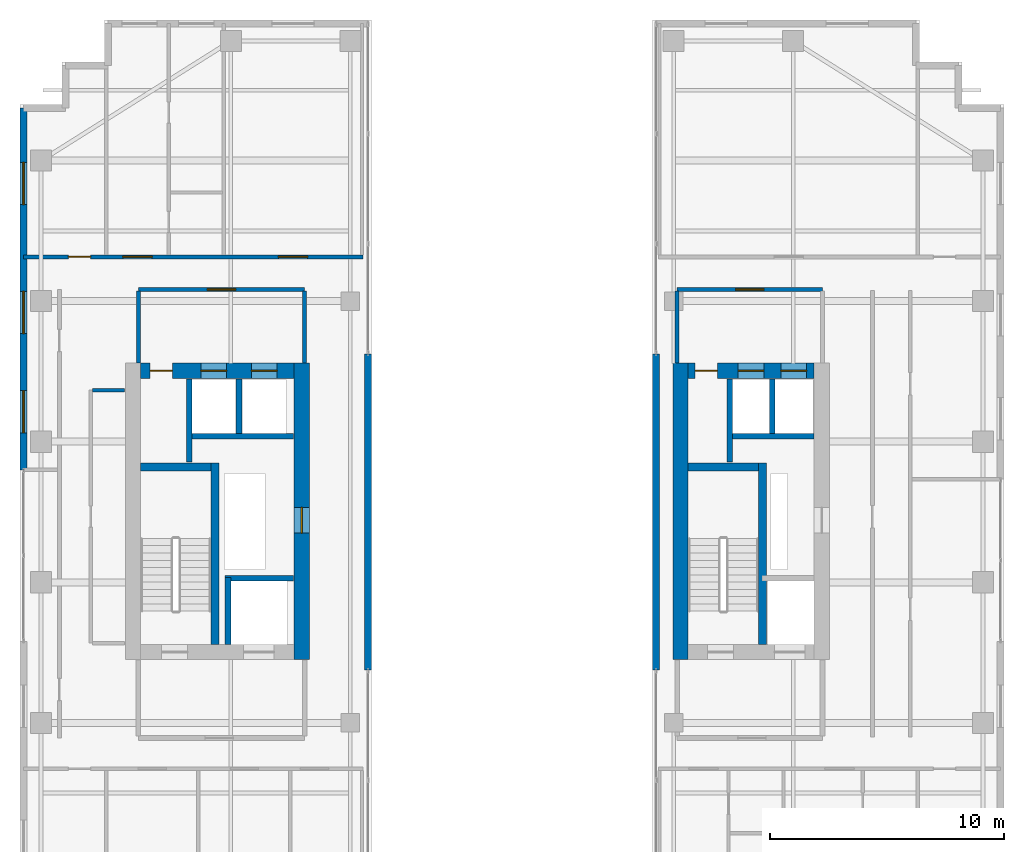
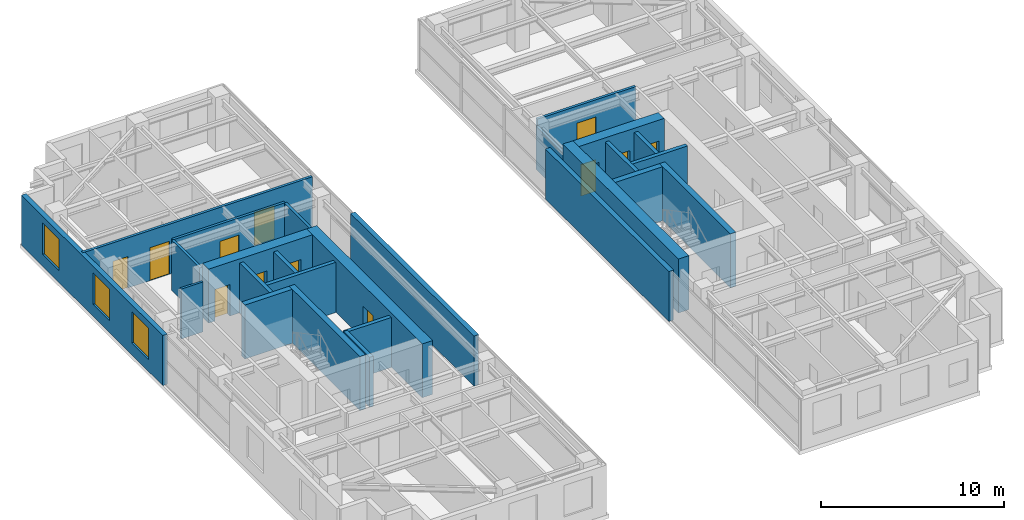
# One storey, part 17 of 20: 26 walls, 12 doors, 3 windows, 15 openings.
"""IFC4 building model written with IfcOpenShell, lengths in metres."""

from ifc_helpers import new_model, si_unit, direction, frame, frame_2d, origin, place, context, subcontext, project, spatial, rectangle, extrude, source, transform, mapped, material, layer, layer_set, type_object, element, fill, save


model = new_model("IFC4")

# Units and contexts
model_context = context("Model", 3, precision=1e-05, world=origin(), true_north=direction((0.0, 1.0)))
body_context = subcontext(model_context, "Body", "Model", "MODEL_VIEW")
ifc_project = project(units=[si_unit("LENGTHUNIT", "METRE"), si_unit("AREAUNIT", "SQUARE_METRE"), si_unit("VOLUMEUNIT", "CUBIC_METRE"), si_unit("PLANEANGLEUNIT", "RADIAN"), si_unit("MASSUNIT", "GRAM", prefix="KILO")], contexts=[model_context])

# Site, building, storey
site_placement = place(None, origin())
site = spatial("IfcSite", under=ifc_project, at=site_placement, CompositionType="ELEMENT")
building_placement = place(site_placement, origin())
building = spatial("IfcBuilding", under=site, at=building_placement, Name="Khoralis Quay Care Tower", CompositionType="ELEMENT")
storey_placement = place(building_placement, frame((0.0, 0.0, 198.89990234375)))
storey = spatial("IfcBuildingStorey", under=building, at=storey_placement, Name="L52", CompositionType="ELEMENT", Elevation=198.89990234375)

# Wall, opening, door
ifc_material_1 = material(Name="Concrete C65/80", Category="concrete")
ifc_layer_1 = layer(ifc_material_1, 0.64990234375)
ifc_layer_set_1 = layer_set([ifc_layer_1], Name="Concrete C65/80")
wall_type_1 = type_object("IfcWallType", Name="WL-CORE-650", PredefinedType="SHEAR", material=ifc_layer_set_1)
wall_1_placement = place(storey_placement, frame((15.02490234375, 14.699951171875, 0.0), z_axis=(0.0, 0.0, 1.0), x_axis=(0.0, 1.0, 0.0)))
wall_1 = element("IfcWall", 1, at=wall_1_placement, inside=storey, type_object=wall_type_1, Name="L52 WCORE East Shear Wall", PredefinedType="SHEAR", context=body_context, shape_type="SweptSolid", body=[
    extrude(rectangle(XDim=12.650146484375, YDim=0.64990234375, at=frame_2d((6.3251953125, 0.0))), origin(), (0.0, 0.0, 1.0), 3.60009765625),
])
opening_1_placement = place(wall_1_placement, frame((5.39990234375, 0.0, 0.0)))
opening_1 = element("IfcOpeningElement", 2, at=opening_1_placement, cuts=wall_1, Name="Opening SD1", PredefinedType="OPENING", context=body_context, shape_type="SweptSolid", body=[
    extrude(rectangle(XDim=1.10009765625, YDim=2.199951171875, at=frame_2d((0.550048828125, 1.10009765625))), frame((0.0, 0.3349609375, 0.0), z_axis=(0.0, -1.0, 0.0), x_axis=(1.0, 0.0, 0.0)), (0.0, 0.0, 1.0), 0.669921875),
])
ifc_material_2 = material(Name="Fire-rated painted steel", Category="steel")
door_type_1 = type_object("IfcDoorType", Name="DR-STAIR-1100X2200", OperationType="NOTDEFINED", PredefinedType="DOOR", material=ifc_material_2)
shared_shape_1 = source(origin(), body_context, "Body", "SweptSolid", [
    extrude(rectangle(XDim=1.10009765625, YDim=2.199951171875, at=frame_2d((0.550048828125, 1.10009765625))), frame((0.0, 0.02490234375, 0.0), z_axis=(0.0, -1.0, 0.0), x_axis=(1.0, 0.0, 0.0)), (0.0, 0.0, 1.0), 0.050048828125),
])
door_1_placement = place(opening_1_placement, origin())
door_1 = element("IfcDoor", 3, at=door_1_placement, inside=storey, type_object=door_type_1, Name="L52 West MEP Riser Door", OperationType="SINGLE_SWING_RIGHT", OverallHeight=2.199951171875, OverallWidth=1.10009765625, PredefinedType="DOOR", context=body_context, shape_type="MappedRepresentation", body=[
    mapped(shared_shape_1, transform((0.0, 0.0, 0.0), scale=1.0)),
])
fill(opening_1, door_1)

# Wall, openings, doors
wall_2_placement = place(storey_placement, frame((8.14990234375, 27.02490234375, 0.0), z_axis=(0.0, 0.0, 1.0), x_axis=(1.0, 0.0, 0.0)))
wall_2 = element("IfcWall", 4, at=wall_2_placement, inside=storey, type_object=wall_type_1, Name="L52 WCORE North Shear Wall", PredefinedType="SHEAR", context=body_context, shape_type="SweptSolid", body=[
    extrude(rectangle(XDim=6.550048828125, YDim=0.64990234375, at=frame_2d((3.27490234375, 0.0))), origin(), (0.0, 0.0, 1.0), 3.60009765625),
])
opening_2_placement = place(wall_2_placement, frame((0.39990234375, 0.0, 0.0)))
opening_2 = element("IfcOpeningElement", 5, at=opening_2_placement, cuts=wall_2, Name="Opening ID1", PredefinedType="OPENING", context=body_context, shape_type="SweptSolid", body=[
    extrude(rectangle(XDim=0.949951171875, YDim=2.10009765625, at=frame_2d((0.47509765625, 1.050048828125))), frame((0.0, 0.3349609375, 0.0), z_axis=(0.0, -1.0, 0.0), x_axis=(1.0, 0.0, 0.0)), (0.0, 0.0, 1.0), 0.669921875),
])
opening_3_placement = place(wall_2_placement, frame((2.570068359375, 0.0, 0.0)))
opening_3 = element("IfcOpeningElement", 6, at=opening_3_placement, cuts=wall_2, Name="Opening LD1", PredefinedType="OPENING", context=body_context, shape_type="SweptSolid", body=[
    extrude(rectangle(XDim=1.10009765625, YDim=2.199951171875, at=frame_2d((0.550048828125, 1.10009765625))), frame((0.0, 0.3349609375, 0.0), z_axis=(0.0, -1.0, 0.0), x_axis=(1.0, 0.0, 0.0)), (0.0, 0.0, 1.0), 0.669921875),
])
opening_4_placement = place(wall_2_placement, frame((4.72998046875, 0.0, 0.0)))
opening_4 = element("IfcOpeningElement", 7, at=opening_4_placement, cuts=wall_2, Name="Opening LD1", PredefinedType="OPENING", context=body_context, shape_type="SweptSolid", body=[
    extrude(rectangle(XDim=1.10009765625, YDim=2.199951171875, at=frame_2d((0.550048828125, 1.10009765625))), frame((0.0, 0.3349609375, 0.0), z_axis=(0.0, -1.0, 0.0), x_axis=(1.0, 0.0, 0.0)), (0.0, 0.0, 1.0), 0.669921875),
])
ifc_material_3 = material(Name="Brushed stainless steel", Category="steel")
door_type_2 = type_object("IfcDoorType", Name="DR-LIFT-1100X2200", OperationType="SLIDING_TO_LEFT", PredefinedType="DOOR", material=ifc_material_3)
shared_shape_2 = source(origin(), body_context, "Body", "SweptSolid", [
    extrude(rectangle(XDim=1.10009765625, YDim=2.199951171875, at=frame_2d((0.550048828125, 1.10009765625))), frame((0.0, 0.02490234375, 0.0), z_axis=(0.0, -1.0, 0.0), x_axis=(1.0, 0.0, 0.0)), (0.0, 0.0, 1.0), 0.050048828125),
])
door_2_placement = place(opening_3_placement, origin())
door_2 = element("IfcDoor", 8, at=door_2_placement, inside=storey, type_object=door_type_2, Name="L52 Lift PLM1 Landing Door", OperationType="SLIDING_TO_LEFT", OverallHeight=2.199951171875, OverallWidth=1.10009765625, PredefinedType="DOOR", context=body_context, shape_type="MappedRepresentation", body=[
    mapped(shared_shape_2, transform((0.0, 0.0, 0.0), scale=1.0)),
])
fill(opening_3, door_2)
door_3_placement = place(opening_4_placement, origin())
door_3 = element("IfcDoor", 9, at=door_3_placement, inside=storey, type_object=door_type_2, Name="L52 Lift PLH1 Landing Door", OperationType="SLIDING_TO_LEFT", OverallHeight=2.199951171875, OverallWidth=1.10009765625, PredefinedType="DOOR", context=body_context, shape_type="MappedRepresentation", body=[
    mapped(shared_shape_2, transform((0.0, 0.0, 0.0), scale=1.0)),
])
fill(opening_4, door_3)
ifc_material_4 = material(Name="Acoustic hardwood timber", Category="wood")
door_type_3 = type_object("IfcDoorType", Name="DR-ROOM-950X2100", OperationType="NOTDEFINED", PredefinedType="DOOR", material=ifc_material_4)
shared_shape_3 = source(origin(), body_context, "Body", "SweptSolid", [
    extrude(rectangle(XDim=0.949951171875, YDim=2.10009765625, at=frame_2d((0.47509765625, 1.050048828125))), frame((0.0, 0.02490234375, 0.0), z_axis=(0.0, -1.0, 0.0), x_axis=(1.0, 0.0, 0.0)), (0.0, 0.0, 1.0), 0.050048828125),
])
door_4_placement = place(opening_2_placement, frame((0.949951171875, 0.0, 0.0), z_axis=(0.0, 0.0, 1.0), x_axis=(-1.0, 0.0, 0.0)))
door_4 = element("IfcDoor", 10, at=door_4_placement, inside=storey, type_object=door_type_3, Name="L52 Medication Room Door", OperationType="SINGLE_SWING_RIGHT", OverallHeight=2.10009765625, OverallWidth=0.949951171875, PredefinedType="DOOR", context=body_context, shape_type="MappedRepresentation", body=[
    mapped(shared_shape_3, transform((0.0, 0.0, 0.0), scale=1.0)),
])
fill(opening_2, door_4)

# Wall
wall_3_placement = place(storey_placement, frame((31.195068359375, 14.699951171875, 0.0), z_axis=(0.0, 0.0, 1.0), x_axis=(0.0, 1.0, 0.0)))
element("IfcWall", 11, at=wall_3_placement, inside=storey, type_object=wall_type_1, Name="L52 ECORE West Shear Wall", PredefinedType="SHEAR", context=body_context, shape_type="SweptSolid", body=[
    extrude(rectangle(XDim=12.650146484375, YDim=0.64990234375, at=frame_2d((6.3251953125, 0.0))), origin(), (0.0, 0.0, 1.0), 3.60009765625),
])

# Wall, openings, doors
wall_4_placement = place(storey_placement, frame((31.52001953125, 27.02490234375, 0.0), z_axis=(0.0, 0.0, 1.0), x_axis=(1.0, 0.0, 0.0)))
wall_4 = element("IfcWall", 12, at=wall_4_placement, inside=storey, type_object=wall_type_1, Name="L52 ECORE North Shear Wall", PredefinedType="SHEAR", context=body_context, shape_type="SweptSolid", body=[
    extrude(rectangle(XDim=5.3798828125, YDim=0.64990234375, at=frame_2d((2.68994140625, 0.0))), origin(), (0.0, 0.0, 1.0), 3.60009765625),
])
opening_5_placement = place(wall_4_placement, frame((0.300048828125, 0.0, 0.0)))
opening_5 = element("IfcOpeningElement", 13, at=opening_5_placement, cuts=wall_4, Name="Opening ID1", PredefinedType="OPENING", context=body_context, shape_type="SweptSolid", body=[
    extrude(rectangle(XDim=0.949951171875, YDim=2.10009765625, at=frame_2d((0.47509765625, 1.050048828125))), frame((0.0, 0.3349609375, 0.0), z_axis=(0.0, -1.0, 0.0), x_axis=(1.0, 0.0, 0.0)), (0.0, 0.0, 1.0), 0.669921875),
])
opening_6_placement = place(wall_4_placement, frame((2.1298828125, 0.0, 0.0)))
opening_6 = element("IfcOpeningElement", 14, at=opening_6_placement, cuts=wall_4, Name="Opening LD1", PredefinedType="OPENING", context=body_context, shape_type="SweptSolid", body=[
    extrude(rectangle(XDim=1.10009765625, YDim=2.199951171875, at=frame_2d((0.550048828125, 1.10009765625))), frame((0.0, 0.3349609375, 0.0), z_axis=(0.0, -1.0, 0.0), x_axis=(1.0, 0.0, 0.0)), (0.0, 0.0, 1.0), 0.669921875),
])
opening_7_placement = place(wall_4_placement, frame((3.9599609375, 0.0, 0.0)))
opening_7 = element("IfcOpeningElement", 15, at=opening_7_placement, cuts=wall_4, Name="Opening LD1", PredefinedType="OPENING", context=body_context, shape_type="SweptSolid", body=[
    extrude(rectangle(XDim=1.10009765625, YDim=2.199951171875, at=frame_2d((0.550048828125, 1.10009765625))), frame((0.0, 0.3349609375, 0.0), z_axis=(0.0, -1.0, 0.0), x_axis=(1.0, 0.0, 0.0)), (0.0, 0.0, 1.0), 0.669921875),
])
door_5_placement = place(opening_6_placement, origin())
door_5 = element("IfcDoor", 16, at=door_5_placement, inside=storey, type_object=door_type_2, Name="L52 Lift PLM2 Landing Door", OperationType="SLIDING_TO_LEFT", OverallHeight=2.199951171875, OverallWidth=1.10009765625, PredefinedType="DOOR", context=body_context, shape_type="MappedRepresentation", body=[
    mapped(shared_shape_2, transform((0.0, 0.0, 0.0), scale=1.0)),
])
fill(opening_6, door_5)
door_6_placement = place(opening_7_placement, origin())
door_6 = element("IfcDoor", 17, at=door_6_placement, inside=storey, type_object=door_type_2, Name="L52 Lift PLH2 Landing Door", OperationType="SLIDING_TO_LEFT", OverallHeight=2.199951171875, OverallWidth=1.10009765625, PredefinedType="DOOR", context=body_context, shape_type="MappedRepresentation", body=[
    mapped(shared_shape_2, transform((0.0, 0.0, 0.0), scale=1.0)),
])
fill(opening_7, door_6)
door_7_placement = place(opening_5_placement, frame((0.949951171875, 0.0, 0.0), z_axis=(0.0, 0.0, 1.0), x_axis=(-1.0, 0.0, 0.0)))
door_7 = element("IfcDoor", 18, at=door_7_placement, inside=storey, type_object=door_type_3, Name="L52 Nutrition Pantry Door", OperationType="SINGLE_SWING_LEFT", OverallHeight=2.10009765625, OverallWidth=0.949951171875, PredefinedType="DOOR", context=body_context, shape_type="MappedRepresentation", body=[
    mapped(shared_shape_3, transform((0.0, 0.0, 0.0), scale=1.0)),
])
fill(opening_5, door_7)

# Wall, opening, door
ifc_material_5 = material(Name="Gypsum plasterboard on acoustic metal stud")
ifc_layer_2 = layer(ifc_material_5, 0.1650390625)
ifc_layer_set_2 = layer_set([ifc_layer_2], Name="Gypsum plasterboard on acoustic metal stud")
wall_type_2 = type_object("IfcWallType", Name="WL-CORR-165", PredefinedType="PARTITIONING", material=ifc_layer_set_2)
wall_5_placement = place(storey_placement, frame((8.050048828125, 30.5, 0.0), z_axis=(0.0, 0.0, 1.0), x_axis=(1.0, 0.0, 0.0)))
wall_5 = element("IfcWall", 19, at=wall_5_placement, inside=storey, type_object=wall_type_2, Name="L52 West Lift Lobby North Wall", PredefinedType="PARTITIONING", context=body_context, shape_type="SweptSolid", body=[
    extrude(rectangle(XDim=7.099853515625, YDim=0.1650390625, at=frame_2d((3.5498046875, 0.0))), origin(), (0.0, 0.0, 1.0), 3.340087890625),
])
opening_8_placement = place(wall_5_placement, frame((2.949951171875, 0.0, 0.0)))
opening_8 = element("IfcOpeningElement", 20, at=opening_8_placement, cuts=wall_5, Name="Opening FD1", PredefinedType="OPENING", context=body_context, shape_type="SweptSolid", body=[
    extrude(rectangle(XDim=1.199951171875, YDim=2.199951171875, at=frame_2d((0.60009765625, 1.10009765625))), frame((0.0, 0.092529296875, 0.0), z_axis=(0.0, -1.0, 0.0), x_axis=(1.0, 0.0, 0.0)), (0.0, 0.0, 1.0), 0.18505859375),
])
door_type_4 = type_object("IfcDoorType", Name="DR-FFL-1200X2200", OperationType="NOTDEFINED", PredefinedType="DOOR", material=ifc_material_2)
shared_shape_4 = source(origin(), body_context, "Body", "SweptSolid", [
    extrude(rectangle(XDim=1.199951171875, YDim=2.199951171875, at=frame_2d((0.60009765625, 1.10009765625))), frame((0.0, 0.02490234375, 0.0), z_axis=(0.0, -1.0, 0.0), x_axis=(1.0, 0.0, 0.0)), (0.0, 0.0, 1.0), 0.050048828125),
])
door_8_placement = place(opening_8_placement, origin())
door_8 = element("IfcDoor", 21, at=door_8_placement, inside=storey, type_object=door_type_4, Name="L52 West Lift Lobby Double Door", OperationType="DOUBLE_DOOR_SINGLE_SWING", OverallHeight=2.199951171875, OverallWidth=1.199951171875, PredefinedType="DOOR", context=body_context, shape_type="MappedRepresentation", body=[
    mapped(shared_shape_4, transform((0.0, 0.0, 0.0), scale=1.0)),
])
fill(opening_8, door_8)

# Walls
for number, where, z_axis, x_axis, name in (
    (22, (8.050048828125, 27.3701171875, 0.0), (0.0, 0.0, 1.0), (0.0, 1.0, 0.0), "L52 West Lift Lobby West Wall"),
    (23, (15.14990234375, 27.3701171875, 0.0), (0.0, 0.0, 1.0), (0.0, 1.0, 0.0), "L52 West Lift Lobby East Wall"),
):
    element("IfcWall", number, at=place(storey_placement, frame(where, z_axis=z_axis, x_axis=x_axis)), inside=storey, type_object=wall_type_2, Name=name, PredefinedType="PARTITIONING", context=body_context, shape_type="SweptSolid", body=[
        extrude(rectangle(XDim=3.052490234375, YDim=0.1650390625, at=frame_2d((1.5263671875, 0.0))), origin(), (0.0, 0.0, 1.0), 3.340087890625),
    ])

# Wall, opening, door
wall_6_placement = place(storey_placement, frame((31.050048828125, 30.5, 0.0), z_axis=(0.0, 0.0, 1.0), x_axis=(1.0, 0.0, 0.0)))
wall_6 = element("IfcWall", 24, at=wall_6_placement, inside=storey, type_object=wall_type_2, Name="L52 East Lift Lobby North Wall", PredefinedType="PARTITIONING", context=body_context, shape_type="SweptSolid", body=[
    extrude(rectangle(XDim=6.199951171875, YDim=0.1650390625, at=frame_2d((3.10009765625, 0.0))), origin(), (0.0, 0.0, 1.0), 3.340087890625),
])
opening_9_placement = place(wall_6_placement, frame((2.5, 0.0, 0.0)))
opening_9 = element("IfcOpeningElement", 25, at=opening_9_placement, cuts=wall_6, Name="Opening FD1", PredefinedType="OPENING", context=body_context, shape_type="SweptSolid", body=[
    extrude(rectangle(XDim=1.199951171875, YDim=2.199951171875, at=frame_2d((0.60009765625, 1.10009765625))), frame((0.0, 0.092529296875, 0.0), z_axis=(0.0, -1.0, 0.0), x_axis=(1.0, 0.0, 0.0)), (0.0, 0.0, 1.0), 0.18505859375),
])
door_9_placement = place(opening_9_placement, origin())
door_9 = element("IfcDoor", 26, at=door_9_placement, inside=storey, type_object=door_type_4, Name="L52 East Lift Lobby Double Door", OperationType="DOUBLE_DOOR_SINGLE_SWING", OverallHeight=2.199951171875, OverallWidth=1.199951171875, PredefinedType="DOOR", context=body_context, shape_type="MappedRepresentation", body=[
    mapped(shared_shape_4, transform((0.0, 0.0, 0.0), scale=1.0)),
])
fill(opening_9, door_9)

# Wall
wall_7_placement = place(storey_placement, frame((31.050048828125, 27.3701171875, 0.0), z_axis=(0.0, 0.0, 1.0), x_axis=(0.0, 1.0, 0.0)))
element("IfcWall", 27, at=wall_7_placement, inside=storey, type_object=wall_type_2, Name="L52 East Lift Lobby West Wall", PredefinedType="PARTITIONING", context=body_context, shape_type="SweptSolid", body=[
    extrude(rectangle(XDim=3.052490234375, YDim=0.1650390625, at=frame_2d((1.5263671875, 0.0))), origin(), (0.0, 0.0, 1.0), 2.881103515625),
])

# Wall, openings, doors
wall_8_placement = place(storey_placement, frame((3.14501953125, 31.889892578125, 0.0), z_axis=(0.0, 0.0, 1.0), x_axis=(1.0, 0.0, 0.0)))
wall_8 = element("IfcWall", 28, at=wall_8_placement, inside=storey, type_object=wall_type_2, Name="L52 West Wing North Corridor Wall", PredefinedType="PARTITIONING", context=body_context, shape_type="SweptSolid", body=[
    extrude(rectangle(XDim=14.5048828125, YDim=0.1650390625, at=frame_2d((7.25244140625, 0.0))), origin(), (0.0, 0.0, 1.0), 3.340087890625),
])
opening_10_placement = place(wall_8_placement, frame((4.2451171875, 0.0, 0.0)))
opening_10 = element("IfcOpeningElement", 29, at=opening_10_placement, cuts=wall_8, Name="Opening CD1", PredefinedType="OPENING", context=body_context, shape_type="SweptSolid", body=[
    extrude(rectangle(XDim=1.25, YDim=2.199951171875, at=frame_2d((0.625, 1.10009765625))), frame((0.0, 0.092529296875, 0.0), z_axis=(0.0, -1.0, 0.0), x_axis=(1.0, 0.0, 0.0)), (0.0, 0.0, 1.0), 0.18505859375),
])
opening_11_placement = place(wall_8_placement, frame((10.8798828125, 0.0, 0.0)))
opening_11 = element("IfcOpeningElement", 30, at=opening_11_placement, cuts=wall_8, Name="Opening CD1", PredefinedType="OPENING", context=body_context, shape_type="SweptSolid", body=[
    extrude(rectangle(XDim=1.25, YDim=2.199951171875, at=frame_2d((0.625, 1.10009765625))), frame((0.0, 0.092529296875, 0.0), z_axis=(0.0, -1.0, 0.0), x_axis=(1.0, 0.0, 0.0)), (0.0, 0.0, 1.0), 0.18505859375),
])
opening_12_placement = place(wall_8_placement, frame((1.919921875, 0.0, 0.0)))
opening_12 = element("IfcOpeningElement", 31, at=opening_12_placement, cuts=wall_8, Name="Opening ID1", PredefinedType="OPENING", context=body_context, shape_type="SweptSolid", body=[
    extrude(rectangle(XDim=0.949951171875, YDim=2.10009765625, at=frame_2d((0.47509765625, 1.050048828125))), frame((0.0, 0.092529296875, 0.0), z_axis=(0.0, -1.0, 0.0), x_axis=(1.0, 0.0, 0.0)), (0.0, 0.0, 1.0), 0.18505859375),
])
door_type_5 = type_object("IfcDoorType", Name="DR-CARE-1250X2200", OperationType="NOTDEFINED", PredefinedType="DOOR", material=ifc_material_4)
shared_shape_5 = source(origin(), body_context, "Body", "SweptSolid", [
    extrude(rectangle(XDim=1.25, YDim=2.199951171875, at=frame_2d((0.625, 1.10009765625))), frame((0.0, 0.02490234375, 0.0), z_axis=(0.0, -1.0, 0.0), x_axis=(1.0, 0.0, 0.0)), (0.0, 0.0, 1.0), 0.050048828125),
])
door_10_placement = place(opening_10_placement, origin())
door_10 = element("IfcDoor", 32, at=door_10_placement, inside=storey, type_object=door_type_5, Name="L52 Care Suite WN0 Clinical Door", OperationType="SINGLE_SWING_LEFT", OverallHeight=2.199951171875, OverallWidth=1.25, PredefinedType="DOOR", context=body_context, shape_type="MappedRepresentation", body=[
    mapped(shared_shape_5, transform((0.0, 0.0, 0.0), scale=1.0)),
])
fill(opening_10, door_10)
door_11_placement = place(opening_11_placement, origin())
door_11 = element("IfcDoor", 33, at=door_11_placement, inside=storey, type_object=door_type_5, Name="L52 Geriatric Consultation Clinic Door", OperationType="SINGLE_SWING_RIGHT", OverallHeight=2.199951171875, OverallWidth=1.25, PredefinedType="DOOR", context=body_context, shape_type="MappedRepresentation", body=[
    mapped(shared_shape_5, transform((0.0, 0.0, 0.0), scale=1.0)),
])
fill(opening_11, door_11)
door_12_placement = place(opening_12_placement, origin())
door_12 = element("IfcDoor", 34, at=door_12_placement, inside=storey, type_object=door_type_3, Name="L52 NW Corner Door", OperationType="SINGLE_SWING_RIGHT", OverallHeight=2.10009765625, OverallWidth=0.949951171875, PredefinedType="DOOR", context=body_context, shape_type="MappedRepresentation", body=[
    mapped(shared_shape_3, transform((0.0, 0.0, 0.0), scale=1.0)),
])
fill(opening_12, door_12)

# Wall
ifc_material_6 = material(Name="Precast concrete C45/55", Category="concrete")
ifc_layer_3 = layer(ifc_material_6, 0.300048828125)
ifc_layer_set_3 = layer_set([ifc_layer_3], Name="Precast concrete C45/55")
wall_type_3 = type_object("IfcWallType", Name="WL-EXT-REF-300", PredefinedType="SOLIDWALL", material=ifc_layer_set_3)
wall_9_placement = place(storey_placement, frame((17.85009765625, 14.25, 0.0), z_axis=(0.0, 0.0, 1.0), x_axis=(0.0, 1.0, 0.0)))
element("IfcWall", 35, at=wall_9_placement, inside=storey, type_object=wall_type_3, Name="L52 External Facade Wall WL-VP-L52-P1-M", PredefinedType="SOLIDWALL", context=body_context, shape_type="SweptSolid", body=[
    extrude(rectangle(XDim=13.5, YDim=0.300048828125, at=frame_2d((6.75, 0.0))), origin(), (0.0, 0.0, 1.0), 3.340087890625),
])

# Wall, openings, windows
wall_10_placement = place(storey_placement, frame((3.14990234375, 38.25, 0.0), z_axis=(0.0, 0.0, 1.0), x_axis=(0.0, -1.0, 0.0)))
wall_10 = element("IfcWall", 36, at=wall_10_placement, inside=storey, type_object=wall_type_3, Name="L52 External Facade Wall WL-EXT-L52-P1-E7A", PredefinedType="SOLIDWALL", context=body_context, shape_type="SweptSolid", body=[
    extrude(rectangle(XDim=15.449951171875, YDim=0.300048828125, at=frame_2d((7.72509765625, 0.0))), origin(), (0.0, 0.0, 1.0), 3.340087890625),
])
opening_13_placement = place(wall_10_placement, frame((2.330078125, 0.0, 0.800048828125)))
opening_13 = element("IfcOpeningElement", 37, at=opening_13_placement, cuts=wall_10, Name="Opening W2", PredefinedType="OPENING", context=body_context, shape_type="SweptSolid", body=[
    extrude(rectangle(XDim=1.800048828125, YDim=2.10009765625, at=frame_2d((0.89990234375, 1.050048828125))), frame((0.0, 0.16015625, 0.0), z_axis=(0.0, -1.0, 0.0), x_axis=(1.0, 0.0, 0.0)), (0.0, 0.0, 1.0), 0.320068359375),
])
opening_14_placement = place(wall_10_placement, frame((7.83740234375, 0.0, 0.800048828125)))
opening_14 = element("IfcOpeningElement", 38, at=opening_14_placement, cuts=wall_10, Name="Opening W2", PredefinedType="OPENING", context=body_context, shape_type="SweptSolid", body=[
    extrude(rectangle(XDim=1.800048828125, YDim=2.10009765625, at=frame_2d((0.89990234375, 1.050048828125))), frame((0.0, 0.16015625, 0.0), z_axis=(0.0, -1.0, 0.0), x_axis=(1.0, 0.0, 0.0)), (0.0, 0.0, 1.0), 0.320068359375),
])
opening_15_placement = place(wall_10_placement, frame((12.072509765625, 0.0, 0.800048828125)))
opening_15 = element("IfcOpeningElement", 39, at=opening_15_placement, cuts=wall_10, Name="Opening W2", PredefinedType="OPENING", context=body_context, shape_type="SweptSolid", body=[
    extrude(rectangle(XDim=1.800048828125, YDim=2.10009765625, at=frame_2d((0.89990234375, 1.050048828125))), frame((0.0, 0.16015625, 0.0), z_axis=(0.0, -1.0, 0.0), x_axis=(1.0, 0.0, 0.0)), (0.0, 0.0, 1.0), 0.320068359375),
])
ifc_material_7 = material(Name="Low-E solar-control double glazing", Category="glass")
window_type = type_object("IfcWindowType", Name="WN-POD-1800X2100", PartitioningType="SINGLE_PANEL", PredefinedType="WINDOW", material=ifc_material_7)
shared_shape_6 = source(origin(), body_context, "Body", "SweptSolid", [
    extrude(rectangle(XDim=1.800048828125, YDim=2.10009765625, at=frame_2d((0.89990234375, 1.050048828125))), frame((0.0, 0.030029296875, 0.0), z_axis=(0.0, -1.0, 0.0), x_axis=(1.0, 0.0, 0.0)), (0.0, 0.0, 1.0), 0.06005859375),
])
window_1_placement = place(opening_13_placement, origin())
window_1 = element("IfcWindow", 40, at=window_1_placement, inside=storey, type_object=window_type, Name="WN-L52-P1-E7A Facade Window 01", OverallHeight=2.10009765625, OverallWidth=1.800048828125, PartitioningType="SINGLE_PANEL", PredefinedType="WINDOW", context=body_context, shape_type="MappedRepresentation", body=[
    mapped(shared_shape_6, transform((0.0, 0.0, 0.0), scale=1.0)),
])
fill(opening_13, window_1)
window_2_placement = place(opening_14_placement, origin())
window_2 = element("IfcWindow", 41, at=window_2_placement, inside=storey, type_object=window_type, Name="WN-L52-P1-E7A Facade Window 02", OverallHeight=2.10009765625, OverallWidth=1.800048828125, PartitioningType="SINGLE_PANEL", PredefinedType="WINDOW", context=body_context, shape_type="MappedRepresentation", body=[
    mapped(shared_shape_6, transform((0.0, 0.0, 0.0), scale=1.0)),
])
fill(opening_14, window_2)
window_3_placement = place(opening_15_placement, origin())
window_3 = element("IfcWindow", 42, at=window_3_placement, inside=storey, type_object=window_type, Name="WN-L52-P1-E7A Facade Window 03", OverallHeight=2.10009765625, OverallWidth=1.800048828125, PartitioningType="SINGLE_PANEL", PredefinedType="WINDOW", context=body_context, shape_type="MappedRepresentation", body=[
    mapped(shared_shape_6, transform((0.0, 0.0, 0.0), scale=1.0)),
])
fill(opening_15, window_3)

# Walls
wall_11_placement = place(storey_placement, frame((30.14990234375, 14.25, 0.0), z_axis=(0.0, 0.0, 1.0), x_axis=(0.0, 1.0, 0.0)))
element("IfcWall", 43, at=wall_11_placement, inside=storey, type_object=wall_type_3, Name="L52 External Facade Wall WL-VP-L52-P2-M", PredefinedType="SOLIDWALL", context=body_context, shape_type="SweptSolid", body=[
    extrude(rectangle(XDim=13.5, YDim=0.300048828125, at=frame_2d((6.75, 0.0))), origin(), (0.0, 0.0, 1.0), 3.340087890625),
])
ifc_material_8 = material(Name="Concrete C40/50", Category="concrete")
ifc_layer_4 = layer(ifc_material_8, 0.35009765625)
ifc_layer_set_4 = layer_set([ifc_layer_4], Name="Concrete C40/50")
wall_type_4 = type_object("IfcWallType", Name="WL-SC-CORE-350", PredefinedType="SHEAR", material=ifc_layer_set_4)
wall_12_placement = place(storey_placement, frame((11.324951171875, 15.35009765625, 0.0), z_axis=(0.0, 0.0, 1.0), x_axis=(0.0, 1.0, 0.0)))
element("IfcWall", 44, at=wall_12_placement, inside=storey, type_object=wall_type_4, Name="L52 Stair ST-T1 Shear Baffle Wall East", PredefinedType="SHEAR", context=body_context, shape_type="SweptSolid", body=[
    extrude(rectangle(XDim=7.75, YDim=0.35009765625, at=frame_2d((3.875, 0.0))), origin(), (0.0, 0.0, 1.0), 3.60009765625),
])
wall_13_placement = place(storey_placement, frame((8.14990234375, 22.925048828125, 0.0), z_axis=(0.0, 0.0, 1.0), x_axis=(1.0, 0.0, 0.0)))
element("IfcWall", 45, at=wall_13_placement, inside=storey, type_object=wall_type_4, Name="L52 Stair ST-T1 Shear Baffle Wall North", PredefinedType="SHEAR", context=body_context, shape_type="SweptSolid", body=[
    extrude(rectangle(XDim=3.0, YDim=0.35009765625, at=frame_2d((1.5, 0.0))), origin(), (0.0, 0.0, 1.0), 3.60009765625),
])
wall_14_placement = place(storey_placement, frame((34.695068359375, 15.35009765625, 0.0), z_axis=(0.0, 0.0, 1.0), x_axis=(0.0, 1.0, 0.0)))
element("IfcWall", 46, at=wall_14_placement, inside=storey, type_object=wall_type_4, Name="L52 Stair ST-T2 Shear Baffle Wall East", PredefinedType="SHEAR", context=body_context, shape_type="SweptSolid", body=[
    extrude(rectangle(XDim=7.75, YDim=0.35009765625, at=frame_2d((3.875, 0.0))), origin(), (0.0, 0.0, 1.0), 3.60009765625),
])
wall_15_placement = place(storey_placement, frame((31.52001953125, 22.925048828125, 0.0), z_axis=(0.0, 0.0, 1.0), x_axis=(1.0, 0.0, 0.0)))
element("IfcWall", 47, at=wall_15_placement, inside=storey, type_object=wall_type_4, Name="L52 Stair ST-T2 Shear Baffle Wall North", PredefinedType="SHEAR", context=body_context, shape_type="SweptSolid", body=[
    extrude(rectangle(XDim=3.0, YDim=0.35009765625, at=frame_2d((1.5, 0.0))), origin(), (0.0, 0.0, 1.0), 3.60009765625),
])
ifc_layer_5 = layer(ifc_material_5, 0.239990234375)
ifc_layer_set_5 = layer_set([ifc_layer_5], Name="Gypsum plasterboard on acoustic metal stud")
wall_type_5 = type_object("IfcWallType", Name="WL-SHAFT-240", PredefinedType="PARTITIONING", material=ifc_layer_set_5)
wall_16_placement = place(storey_placement, frame((11.8798828125, 15.35009765625, 0.0), z_axis=(0.0, 0.0, 1.0), x_axis=(0.0, 1.0, 0.0)))
element("IfcWall", 48, at=wall_16_placement, inside=storey, type_object=wall_type_5, Name="L52 FFL-1 Shaft Wall West", PredefinedType="PARTITIONING", context=body_context, shape_type="SweptSolid", body=[
    extrude(rectangle(XDim=2.849853515625, YDim=0.239990234375, at=frame_2d((1.4248046875, 0.0))), origin(), (0.0, 0.0, 1.0), 3.340087890625),
])
wall_17_placement = place(storey_placement, frame((11.760009765625, 18.169921875, 0.0), z_axis=(0.0, 0.0, 1.0), x_axis=(1.0, 0.0, 0.0)))
element("IfcWall", 49, at=wall_17_placement, inside=storey, type_object=wall_type_5, Name="L52 FFL-1 Shaft Wall North", PredefinedType="PARTITIONING", context=body_context, shape_type="SweptSolid", body=[
    extrude(rectangle(XDim=2.919921875, YDim=0.239990234375, at=frame_2d((1.4599609375, 0.0))), origin(), (0.0, 0.0, 1.0), 3.340087890625),
])
wall_18_placement = place(storey_placement, frame((10.219970703125, 23.139892578125, 0.0), z_axis=(0.0, 0.0, 1.0), x_axis=(0.0, 1.0, 0.0)))
element("IfcWall", 50, at=wall_18_placement, inside=storey, type_object=wall_type_5, Name="L52 Reclaimed Bay Divider West", PredefinedType="PARTITIONING", context=body_context, shape_type="SweptSolid", body=[
    extrude(rectangle(XDim=3.5400390625, YDim=0.239990234375, at=frame_2d((1.77001953125, 0.0))), origin(), (0.0, 0.0, 1.0), 3.340087890625),
])
wall_19_placement = place(storey_placement, frame((10.3349609375, 24.22998046875, 0.0), z_axis=(0.0, 0.0, 1.0), x_axis=(1.0, 0.0, 0.0)))
element("IfcWall", 51, at=wall_19_placement, inside=storey, type_object=wall_type_5, Name="L52 Active Shaft South Wall West", PredefinedType="PARTITIONING", context=body_context, shape_type="SweptSolid", body=[
    extrude(rectangle(XDim=4.344970703125, YDim=0.239990234375, at=frame_2d((2.17236328125, 0.0))), origin(), (0.0, 0.0, 1.0), 3.340087890625),
])
wall_20_placement = place(storey_placement, frame((12.35009765625, 24.344970703125, 0.0), z_axis=(0.0, 0.0, 1.0), x_axis=(0.0, 1.0, 0.0)))
element("IfcWall", 52, at=wall_20_placement, inside=storey, type_object=wall_type_5, Name="L52 West Shaft Divider 2", PredefinedType="PARTITIONING", context=body_context, shape_type="SweptSolid", body=[
    extrude(rectangle(XDim=2.3349609375, YDim=0.239990234375, at=frame_2d((1.16748046875, 0.0))), origin(), (0.0, 0.0, 1.0), 3.340087890625),
])
wall_21_placement = place(storey_placement, frame((33.2900390625, 23.139892578125, 0.0), z_axis=(0.0, 0.0, 1.0), x_axis=(0.0, 1.0, 0.0)))
element("IfcWall", 53, at=wall_21_placement, inside=storey, type_object=wall_type_5, Name="L52 Reclaimed Bay Divider East", PredefinedType="PARTITIONING", context=body_context, shape_type="SweptSolid", body=[
    extrude(rectangle(XDim=3.5400390625, YDim=0.239990234375, at=frame_2d((1.77001953125, 0.0))), origin(), (0.0, 0.0, 1.0), 3.340087890625),
])
wall_22_placement = place(storey_placement, frame((33.405029296875, 24.22998046875, 0.0), z_axis=(0.0, 0.0, 1.0), x_axis=(1.0, 0.0, 0.0)))
element("IfcWall", 54, at=wall_22_placement, inside=storey, type_object=wall_type_5, Name="L52 Active Shaft South Wall East", PredefinedType="PARTITIONING", context=body_context, shape_type="SweptSolid", body=[
    extrude(rectangle(XDim=3.474853515625, YDim=0.239990234375, at=frame_2d((1.7373046875, 0.0))), origin(), (0.0, 0.0, 1.0), 3.340087890625),
])
wall_23_placement = place(storey_placement, frame((35.110107421875, 24.344970703125, 0.0), z_axis=(0.0, 0.0, 1.0), x_axis=(0.0, 1.0, 0.0)))
element("IfcWall", 55, at=wall_23_placement, inside=storey, type_object=wall_type_5, Name="L52 East Shaft Divider 2", PredefinedType="PARTITIONING", context=body_context, shape_type="SweptSolid", body=[
    extrude(rectangle(XDim=2.3349609375, YDim=0.239990234375, at=frame_2d((1.16748046875, 0.0))), origin(), (0.0, 0.0, 1.0), 3.340087890625),
])
ifc_layer_6 = layer(ifc_material_5, 0.139892578125)
ifc_layer_set_6 = layer_set([ifc_layer_6], Name="Gypsum plasterboard on acoustic metal stud")
wall_type_6 = type_object("IfcWallType", Name="WL-UNIT-140", PredefinedType="PARTITIONING", material=ifc_layer_set_6)
wall_24_placement = place(storey_placement, frame((6.097412109375, 26.199951171875, 0.0), z_axis=(0.0, 0.0, 1.0), x_axis=(1.0, 0.0, 0.0)))
element("IfcWall", 56, at=wall_24_placement, inside=storey, type_object=wall_type_6, Name="L52 West Flank North Cap", PredefinedType="PARTITIONING", context=body_context, shape_type="SweptSolid", body=[
    extrude(rectangle(XDim=1.362548828125, YDim=0.139892578125, at=frame_2d((0.68115234375, 0.0))), origin(), (0.0, 0.0, 1.0), 3.340087890625),
])

save(model, "model.ifc")
